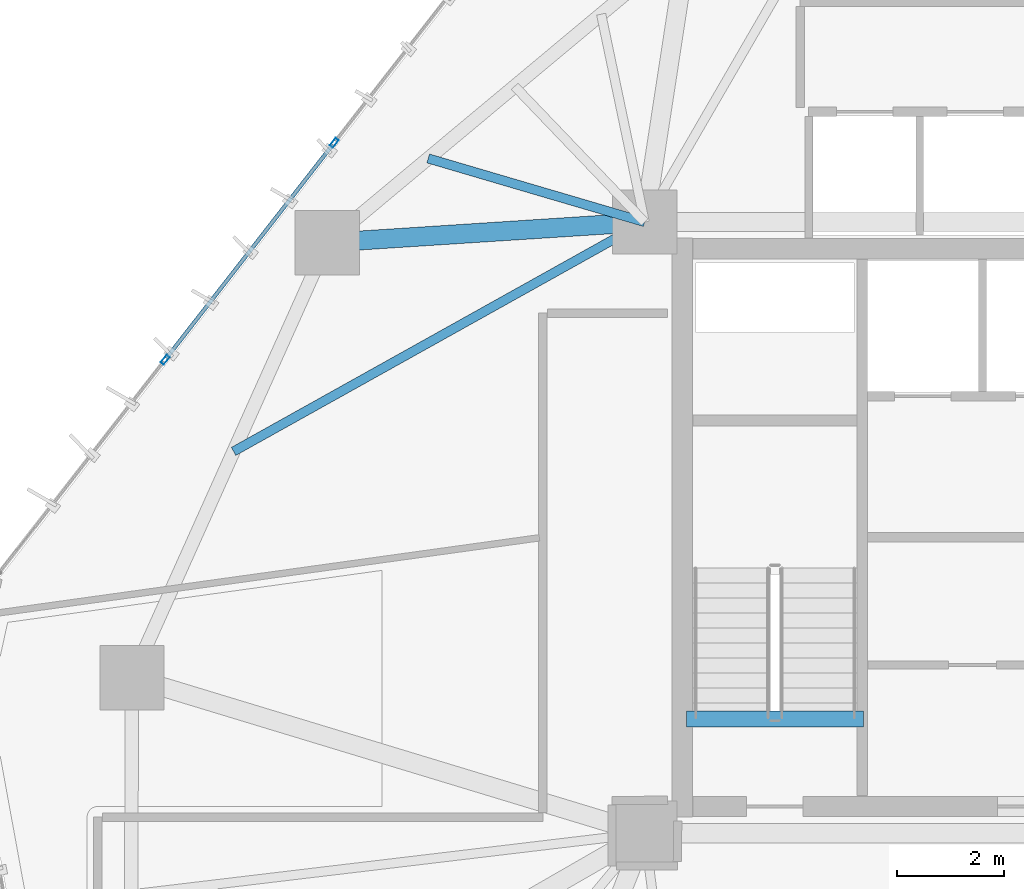
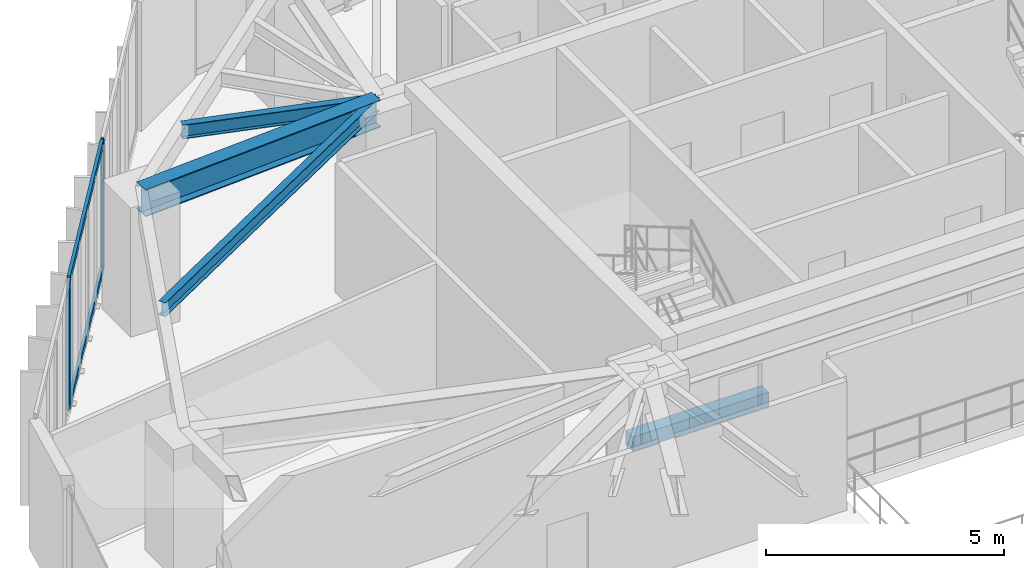
# One storey, part 10 of 24: 4 beams, 4 members, 1 element without a shape of its own.
"""IFC4 building model written with IfcOpenShell, lengths in metres."""

import ifcopenshell
import ifcopenshell.guid

model = None  # the IFC model being written
_history = None  # IfcOwnerHistory: only IFC2X3 demands one
_inside = {}  # id of a spatial element -> (the spatial element, [elements in it])
_under = {}  # id of a project, library or spatial element -> (it, [spatial elements below it])
_declared = {}  # id of a project -> (the project, [libraries it declares])
_typed = {}  # id of a type object -> (the type object, [elements of that type])
_made_of = {}  # id of a material, layer set ... -> (it, [elements and type objects made of it])


def new_model(schema):
    """Start an empty IFC model of exactly this schema.

    Asked for "IFC4X3", IfcOpenShell would pick the latest addendum, in which some entities
    have other attributes; the version numbers below select the first issue.
    IFC2X3 requires an IfcOwnerHistory on every rooted entity: one is made here for all.
    """
    global model, _history
    if schema == "IFC4X3":
        model = ifcopenshell.file(schema_version=(4, 3, 0, 0))
    else:
        model = ifcopenshell.file(schema=schema)
    _inside.clear()
    _under.clear()
    _declared.clear()
    _typed.clear()
    _made_of.clear()
    _history = None
    if model.schema == "IFC2X3":
        org = make("IfcOrganization", Name="unknown")
        user = make(
            "IfcPersonAndOrganization",
            ThePerson=make("IfcPerson", FamilyName="unknown"),
            TheOrganization=org,
        )
        app = make(
            "IfcApplication",
            ApplicationDeveloper=org,
            Version="unknown",
            ApplicationFullName="unknown",
            ApplicationIdentifier="unknown",
        )
        _history = make(
            "IfcOwnerHistory",
            OwningUser=user,
            OwningApplication=app,
            ChangeAction="ADDED",
            CreationDate=0,
        )
    return model


def make(cls, **values):
    """One entity of the class cls with the attributes given. An attribute that is None is left unset."""
    return model.create_entity(
        cls, **{name: value for name, value in values.items() if value is not None}
    )


def rooted(cls, **values):
    """An entity with a GlobalId (a new one), such as an element, a storey or a relation."""
    return make(cls, GlobalId=ifcopenshell.guid.new(), OwnerHistory=_history, **values)


def si_unit(unit_type, name, prefix=None):
    """IfcSIUnit, for example si_unit("LENGTHUNIT", "METRE", prefix="MILLI")."""
    return make("IfcSIUnit", UnitType=unit_type, Prefix=prefix, Name=name)


def assignment(units):
    """IfcUnitAssignment: the units of a project."""
    return None if units is None else make("IfcUnitAssignment", Units=units)


def point(xyz):
    """IfcCartesianPoint."""
    return None if xyz is None else make("IfcCartesianPoint", Coordinates=xyz)


def direction(xyz):
    """IfcDirection."""
    return None if xyz is None else make("IfcDirection", DirectionRatios=xyz)


def frame(location, z_axis=None, x_axis=None):
    """IfcAxis2Placement3D, a coordinate frame: its origin and axes. An axis left out is left unset."""
    return make(
        "IfcAxis2Placement3D",
        Location=point(location),
        Axis=direction(z_axis),
        RefDirection=direction(x_axis),
    )


def frame_2d(location, x_axis=None):
    """IfcAxis2Placement2D, a coordinate frame in the plane: its origin and x axis."""
    return make(
        "IfcAxis2Placement2D", Location=point(location), RefDirection=direction(x_axis)
    )


def origin():
    """The frame at (0, 0, 0) with its axes left unset."""
    return frame((0.0, 0.0, 0.0))


def origin_2d():
    """The frame at (0, 0) in the plane with its x axis left unset."""
    return frame_2d((0.0, 0.0))


def place(relative_to, where):
    """IfcLocalPlacement: puts the frame where relative to a parent placement (None: the world)."""
    return make(
        "IfcLocalPlacement", PlacementRelTo=relative_to, RelativePlacement=where
    )


def context(
    kind, dimensions, precision=None, world=None, true_north=None, identifier=None
):
    """IfcGeometricRepresentationContext, for example the 3D "Model" context."""
    return make(
        "IfcGeometricRepresentationContext",
        ContextIdentifier=identifier,
        ContextType=kind,
        CoordinateSpaceDimension=dimensions,
        Precision=precision,
        WorldCoordinateSystem=world,
        TrueNorth=true_north,
    )


def subcontext(parent, identifier, kind, view, scale=None):
    """IfcGeometricRepresentationSubContext, for example "Body" below "Model"."""
    return make(
        "IfcGeometricRepresentationSubContext",
        ContextIdentifier=identifier,
        ContextType=kind,
        ParentContext=parent,
        TargetScale=scale,
        TargetView=view,
    )


def project(units=None, contexts=None):
    """IfcProject with its units and contexts."""
    return rooted(
        "IfcProject",
        Name="project",
        RepresentationContexts=contexts,
        UnitsInContext=assignment(units),
    )


def spatial(cls, under=None, at=None, **own):
    """A site, building, storey or space (cls), placed at a placement, below another one or the project."""
    s = rooted(cls, ObjectPlacement=at, **own)
    if under is not None:
        _under.setdefault(under.id(), (under, []))[1].append(s)
    return s


def profile(cls, at=None, kind="AREA", **sizes):
    """A parametric profile (cls). Its sizes go by their IFC names, for example OverallWidth=200.0."""
    return make(cls, ProfileType=kind, Position=at, **sizes)


def rectangle(**sizes):
    """IfcRectangleProfileDef."""
    return profile("IfcRectangleProfileDef", **sizes)


def hollow_rectangle(**sizes):
    """IfcRectangleHollowProfileDef."""
    return profile("IfcRectangleHollowProfileDef", **sizes)


def i_section(**sizes):
    """IfcIShapeProfileDef."""
    return profile("IfcIShapeProfileDef", **sizes)


def extrude(swept, where, along, depth):
    """IfcExtrudedAreaSolid: the profile swept, set in the frame where, extruded along a direction by depth."""
    return make(
        "IfcExtrudedAreaSolid",
        SweptArea=swept,
        Position=where,
        ExtrudedDirection=direction(along),
        Depth=depth,
    )


def shape(context_of_items, identifier, shape_type, items):
    """IfcShapeRepresentation: the items that make up one representation, for example the "Body"."""
    return make(
        "IfcShapeRepresentation",
        ContextOfItems=context_of_items,
        RepresentationIdentifier=identifier,
        RepresentationType=shape_type,
        Items=items,
    )


def source(mapping_origin, context_of_items, identifier, shape_type, items):
    """IfcRepresentationMap: a shape defined once, which mapped items show again and again."""
    return make(
        "IfcRepresentationMap",
        MappingOrigin=mapping_origin,
        MappedRepresentation=shape(context_of_items, identifier, shape_type, items),
    )


def transform(
    local_origin,
    x_axis=None,
    y_axis=None,
    z_axis=None,
    scale=None,
    scale2=None,
    scale3=None,
    uniform=True,
):
    """IfcCartesianTransformationOperator3D, or its non-uniform kind. x_axis, y_axis, z_axis: its Axis1, 2, 3."""
    if uniform:
        return make(
            "IfcCartesianTransformationOperator3D",
            Axis1=direction(x_axis),
            Axis2=direction(y_axis),
            LocalOrigin=point(local_origin),
            Scale=scale,
            Axis3=direction(z_axis),
        )
    return make(
        "IfcCartesianTransformationOperator3DnonUniform",
        Axis1=direction(x_axis),
        Axis2=direction(y_axis),
        LocalOrigin=point(local_origin),
        Scale=scale,
        Axis3=direction(z_axis),
        Scale2=scale2,
        Scale3=scale3,
    )


def mapped(mapping_source, mapping_target):
    """IfcMappedItem: shows the shape of a source again, moved by a transform."""
    return make(
        "IfcMappedItem", MappingSource=mapping_source, MappingTarget=mapping_target
    )


def material(Name=None, Category=None):
    """IfcMaterial."""
    return make("IfcMaterial", Name=Name, Category=Category)


def layer(
    of_material, thickness, ventilated=None, Name=None, Category=None, Priority=None
):
    """IfcMaterialLayer: one layer of a wall or slab, of a material (None: an air gap)."""
    return make(
        "IfcMaterialLayer",
        Material=of_material,
        LayerThickness=thickness,
        IsVentilated=ventilated,
        Name=Name,
        Category=Category,
        Priority=Priority,
    )


def layer_set(layers, Name=None):
    """IfcMaterialLayerSet."""
    return make("IfcMaterialLayerSet", MaterialLayers=layers, LayerSetName=Name)


def material_profile(
    of_material, cross_section, Name=None, Category=None, Priority=None
):
    """IfcMaterialProfile: a cross section and its material."""
    return make(
        "IfcMaterialProfile",
        Name=Name,
        Material=of_material,
        Profile=cross_section,
        Priority=Priority,
        Category=Category,
    )


def profile_set(profiles, Name=None, composite=None):
    """IfcMaterialProfileSet."""
    return make(
        "IfcMaterialProfileSet",
        Name=Name,
        MaterialProfiles=profiles,
        CompositeProfile=composite,
    )


def made_of(thing, what):
    """Note that an element or type object is made of a material, layer set ...; save() writes the relation."""
    if what is not None:
        _made_of.setdefault(what.id(), (what, []))[1].append(thing)
    return thing


def type_object(cls, material=None, **own):
    """A type object (cls), such as IfcWallType, which elements share."""
    return made_of(rooted(cls, **own), material)


def type_shapes(of_type, sources):
    """Give a type object the sources (RepresentationMaps) that its elements show as mapped items."""
    of_type.RepresentationMaps = sources


def element(
    cls,
    number,
    at=None,
    inside=None,
    cuts=None,
    type_object=None,
    material=None,
    context=None,
    identifier="Body",
    shape_type=None,
    held_by="IfcProductDefinitionShape",
    body=None,
    shapes=None,
    **own,
):
    """One element of the class cls, such as IfcWall. Its Tag is "e" and its number.

    at: its placement. inside: the storey or other place that contains it. cuts: it is an
    opening in that element (IfcRelVoidsElement). A single representation is given by context,
    identifier, shape_type and body (its items); several are given by shapes. held_by: the class
    of the entity that holds the representations. save() writes the other relations.
    """
    e = rooted(cls, Tag="e%d" % number, ObjectPlacement=at, **own)
    if body is not None:
        shapes = [shape(context, identifier, shape_type, body)]
    if shapes is not None:
        e.Representation = make(held_by, Representations=shapes)
    if inside is not None:
        _inside.setdefault(inside.id(), (inside, []))[1].append(e)
    if cuts is not None:
        rooted(
            "IfcRelVoidsElement", RelatingBuildingElement=cuts, RelatedOpeningElement=e
        )
    if type_object is not None:
        _typed.setdefault(type_object.id(), (type_object, []))[1].append(e)
    return made_of(e, material)


def aggregate(whole, parts):
    """IfcRelAggregates: a whole, such as a stair, and the parts it consists of."""
    return rooted("IfcRelAggregates", RelatingObject=whole, RelatedObjects=parts)


def save(model, path):
    """Write the relations noted so far, then the file.

    IfcRelAggregates (storeys below a building ...), IfcRelContainedInSpatialStructure (elements
    in a storey), IfcRelDefinesByType, IfcRelAssociatesMaterial and IfcRelDeclares: one each for
    every whole, place, type object, material and project.
    """
    for whole, parts in _under.values():
        aggregate(whole, parts)
    for where, things in _inside.values():
        rooted(
            "IfcRelContainedInSpatialStructure",
            RelatedElements=things,
            RelatingStructure=where,
        )
    for kind, things in _typed.values():
        rooted("IfcRelDefinesByType", RelatedObjects=things, RelatingType=kind)
    for what, things in _made_of.values():
        rooted("IfcRelAssociatesMaterial", RelatedObjects=things, RelatingMaterial=what)
    for by, libraries in _declared.values():
        rooted("IfcRelDeclares", RelatingContext=by, RelatedDefinitions=libraries)
    model.write(path)


model = new_model("IFC4")

# Units and contexts
model_context = context("Model", 3, precision=1e-05, world=origin(), true_north=direction((0.0, 1.0)))
body_context = subcontext(model_context, "Body", "Model", "MODEL_VIEW")
ifc_project = project(units=[si_unit("LENGTHUNIT", "METRE"), si_unit("AREAUNIT", "SQUARE_METRE"), si_unit("VOLUMEUNIT", "CUBIC_METRE"), si_unit("PLANEANGLEUNIT", "RADIAN"), si_unit("MASSUNIT", "GRAM", prefix="KILO")], contexts=[model_context])

# Site, building, storey
site_placement = place(None, origin())
site = spatial("IfcSite", under=ifc_project, at=site_placement, CompositionType="ELEMENT")
building_placement = place(site_placement, origin())
building = spatial("IfcBuilding", under=site, at=building_placement, Name="Talar Marvaseh", CompositionType="ELEMENT")
storey_placement = place(building_placement, frame((0.0, 0.0, 114.60009765625)))
storey = spatial("IfcBuildingStorey", under=building, at=storey_placement, Name="L29", CompositionType="ELEMENT", Elevation=114.60009765625)

# Beams
ifc_material_1 = material(Name="Concrete C40/50", Category="concrete")
ifc_material_profile_1 = material_profile(ifc_material_1, rectangle(XDim=0.300048828125, YDim=0.360107421875, at=origin_2d()), Name="RC300x360")
ifc_profile_set_1 = profile_set([ifc_material_profile_1], Name="Concrete C40/50")
beam_type_1 = type_object("IfcBeamType", Name="Concrete Stair Landing Trimmer Beam RC300x360", PredefinedType="SPANDREL", material=ifc_profile_set_1)
beam_1_placement = place(storey_placement, frame((22.780029296875, 27.6298828125, -0.18017578125), z_axis=(-1.0, 0.0, 0.0), x_axis=(0.0, -1.0, 0.0)))
element("IfcBeam", 1, at=beam_1_placement, inside=storey, type_object=beam_type_1, Name="L29 ST-1 Stair Nosing Trimmer Beam", PredefinedType="SPANDREL", context=body_context, shape_type="SweptSolid", body=[
    extrude(rectangle(XDim=0.300048828125, YDim=0.360107421875, at=origin_2d()), origin(), (0.0, 0.0, 1.0), 3.300048828125),
])
ifc_material_2 = material(Name="Steel S355", Category="steel")
ifc_material_profile_2 = material_profile(ifc_material_2, i_section(OverallWidth=0.35498046875, OverallDepth=0.695068359375, WebThickness=0.015380859375, FlangeThickness=0.02490234375, at=origin_2d()), Name="W690x217")
ifc_profile_set_2 = profile_set([ifc_material_profile_2], Name="Steel S355")
beam_type_2 = type_object("IfcBeamType", Name="Zone 2 Radial Floor Girder W690x217", PredefinedType="BEAM", material=ifc_profile_set_2)
beam_2_placement = place(storey_placement, frame((12.780029296875, 36.51708984375, 2.96240234375), z_axis=(0.997915745008, 0.064530348407, 0.0), x_axis=(-0.064530348407, 0.997915745008, 0.0)))
element("IfcBeam", 2, at=beam_2_placement, inside=storey, type_object=beam_type_2, Name="L29 Zone 2 Radial Floor Girder W690x217", PredefinedType="BEAM", context=body_context, shape_type="SweptSolid", body=[
    extrude(i_section(OverallWidth=0.35498046875, OverallDepth=0.695068359375, WebThickness=0.015380859375, FlangeThickness=0.02490234375, at=origin_2d()), origin(), (0.0, 0.0, 1.0), 5.932373046875),
])
ifc_material_profile_3 = material_profile(ifc_material_2, i_section(OverallWidth=0.172119140625, OverallDepth=0.35791015625, WebThickness=0.0078125, FlangeThickness=0.01318359375, at=origin_2d()), Name="W360x57")
ifc_profile_set_3 = profile_set([ifc_material_profile_3], Name="Steel S355")
beam_type_3 = type_object("IfcBeamType", Name="Zone 2 Secondary Floor Joist W360x57", PredefinedType="JOIST", material=ifc_profile_set_3)
beam_3_placement = place(storey_placement, frame((11.03173828125, 32.621826171875, 3.130859375), z_axis=(0.873287668061, 0.487204935128, 0.0), x_axis=(-0.487204935128, 0.873287668061, 0.0)))
element("IfcBeam", 3, at=beam_3_placement, inside=storey, type_object=beam_type_3, Name="L29 Zone 2 Secondary Floor Joist W360x57", PredefinedType="JOIST", context=body_context, shape_type="SweptSolid", body=[
    extrude(i_section(OverallWidth=0.172119140625, OverallDepth=0.35791015625, WebThickness=0.0078125, FlangeThickness=0.01318359375, at=origin_2d()), origin(), (0.0, 0.0, 1.0), 8.78076171875),
])
beam_4_placement = place(storey_placement, frame((14.661865234375, 38.086669921875, 3.130859375), z_axis=(0.959423672171, -0.281968468587, 0.0), x_axis=(0.281968468587, 0.959423672171, 0.0)))
element("IfcBeam", 4, at=beam_4_placement, inside=storey, type_object=beam_type_3, Name="L29 Zone 2 Secondary Floor Joist W360x57", PredefinedType="JOIST", context=body_context, shape_type="SweptSolid", body=[
    extrude(i_section(OverallWidth=0.172119140625, OverallDepth=0.35791015625, WebThickness=0.0078125, FlangeThickness=0.01318359375, at=origin_2d()), origin(), (0.0, 0.0, 1.0), 4.208984375),
])

# Curtain wall, members
ifc_material_3 = material(Name="Architectural Aluminium", Category="aluminium")
ifc_layer = layer(ifc_material_3, 0.199951171875)
ifc_layer_set = layer_set([ifc_layer], Name="Architectural Aluminium")
curtain_wall_type = type_object("IfcCurtainWallType", Name="Unitised Acoustic Library Curtain Wall Z2", PredefinedType="NOTDEFINED", material=ifc_layer_set)
curtain_wall_placement = place(storey_placement, origin())
curtain_wall = element("IfcCurtainWall", 5, at=curtain_wall_placement, inside=storey, type_object=curtain_wall_type, Name="L29 Unitised Acoustic Library Curtain Wall Z2", PredefinedType="NOTDEFINED")
ifc_material_profile_4 = material_profile(ifc_material_3, hollow_rectangle(XDim=0.074951171875, YDim=0.179931640625, WallThickness=0.0048828125, at=origin_2d()), Name="RHS180x75x5")
ifc_profile_set_4 = profile_set([ifc_material_profile_4], Name="Architectural Aluminium")
member_type_1 = type_object("IfcMemberType", Name="Unitised Curtain Wall Transom RHS180x75x5", PredefinedType="USERDEFINED", material=ifc_profile_set_4)
shared_shape_1 = source(origin(), body_context, "Body", "SweptSolid", [
    extrude(hollow_rectangle(XDim=0.074951171875, YDim=0.179931640625, WallThickness=0.0048828125, at=origin_2d()), origin(), (0.0, 0.0, 1.0), 5.054931640625),
])
type_shapes(member_type_1, [shared_shape_1])
member_1_placement = place(storey_placement, frame((9.77783203125, 34.360107421875, 0.037353515625), z_axis=(0.614726066738, 0.788740681639, 0.0), x_axis=(-0.788740681639, 0.614726066738, 0.0)))
member_1 = element("IfcMember", 6, at=member_1_placement, type_object=member_type_1, Name="CW-Z2 transom 2.1", ObjectType="TRANSOM", PredefinedType="USERDEFINED", context=body_context, shape_type="MappedRepresentation", body=[
    mapped(shared_shape_1, transform((0.0, 0.0, 0.0), x_axis=(1.0, 0.0, 0.0), y_axis=(0.0, 1.0, 0.0), z_axis=(0.0, 0.0, 1.0), scale=1.0)),
])
member_2_placement = place(storey_placement, frame((9.77783203125, 34.360107421875, 3.2724609375), z_axis=(0.614726066738, 0.788740681639, 0.0), x_axis=(-0.788740681639, 0.614726066738, 0.0)))
member_2 = element("IfcMember", 7, at=member_2_placement, type_object=member_type_1, Name="CW-Z2 transom 2.2", ObjectType="TRANSOM", PredefinedType="USERDEFINED", context=body_context, shape_type="MappedRepresentation", body=[
    mapped(shared_shape_1, transform((0.0, 0.0, 0.0), x_axis=(1.0, 0.0, 0.0), y_axis=(0.0, 1.0, 0.0), z_axis=(0.0, 0.0, 1.0), scale=1.0)),
])
ifc_material_profile_5 = material_profile(ifc_material_3, hollow_rectangle(XDim=0.074951171875, YDim=0.179931640625, WallThickness=0.0048828125, at=origin_2d()), Name="RHS180x75x5")
ifc_profile_set_5 = profile_set([ifc_material_profile_5], Name="Architectural Aluminium")
member_type_2 = type_object("IfcMemberType", Name="Unitised Curtain Wall Standard Mullion RHS180x75x5", PredefinedType="MULLION", material=ifc_profile_set_5)
shared_shape_2 = source(origin(), body_context, "Body", "SweptSolid", [
    extrude(hollow_rectangle(XDim=0.074951171875, YDim=0.179931640625, WallThickness=0.0048828125, at=origin_2d()), origin(), (0.0, 0.0, 1.0), 3.309814453125),
])
type_shapes(member_type_2, [shared_shape_2])
member_3_placement = place(storey_placement, frame((9.7548828125, 34.33056640625, 0.0), z_axis=(0.0, 0.0, 1.0), x_axis=(-0.788737443785, 0.614730221131, 0.0)))
member_3 = element("IfcMember", 8, at=member_3_placement, type_object=member_type_2, Name="CW-Z2 mullion 2", PredefinedType="MULLION", context=body_context, shape_type="MappedRepresentation", body=[
    mapped(shared_shape_2, transform((0.0, 0.0, 0.0), x_axis=(1.0, 0.0, 0.0), y_axis=(0.0, 1.0, 0.0), z_axis=(0.0, 0.0, 1.0), scale=1.0)),
])
member_4_placement = place(storey_placement, frame((12.908447265625, 38.376953125, 0.0), z_axis=(0.0, 0.0, 1.0), x_axis=(-0.788737443785, 0.614730221131, 0.0)))
member_4 = element("IfcMember", 9, at=member_4_placement, type_object=member_type_2, Name="CW-Z2 mullion 3", PredefinedType="MULLION", context=body_context, shape_type="MappedRepresentation", body=[
    mapped(shared_shape_2, transform((0.0, 0.0, 0.0), x_axis=(1.0, 0.0, 0.0), y_axis=(0.0, 1.0, 0.0), z_axis=(0.0, 0.0, 1.0), scale=1.0)),
])
aggregate(curtain_wall, [member_3, member_4, member_1, member_2])

save(model, "model.ifc")
